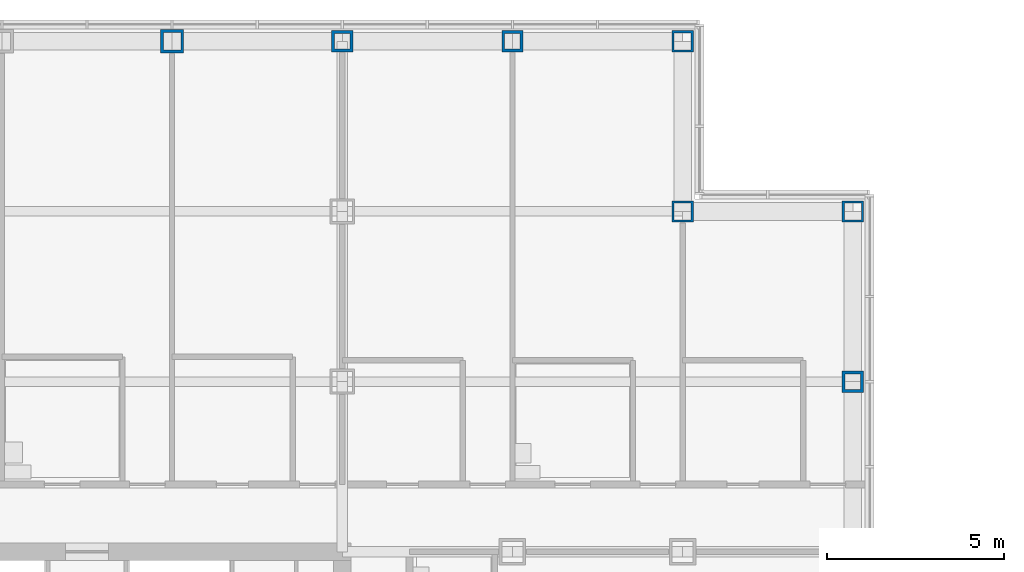
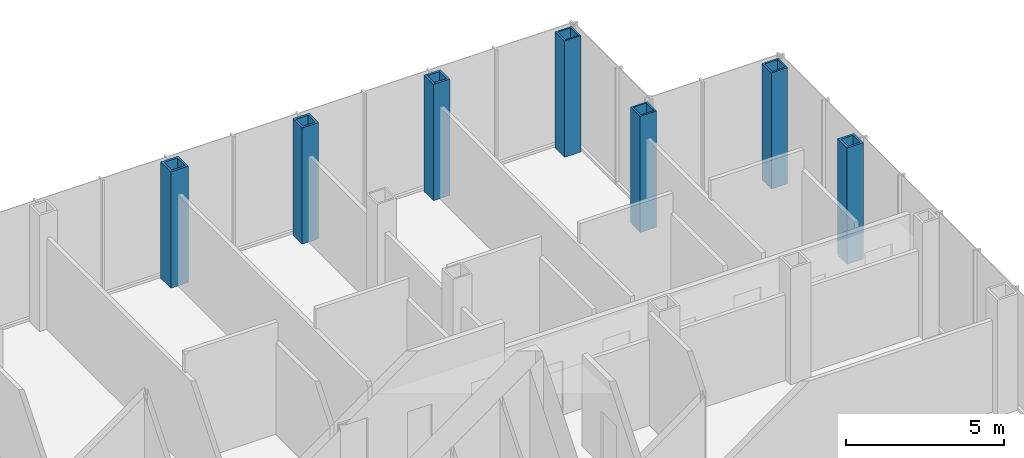
# One storey, part 10 of 26: 7 columns.
"""IFC4 building model written with IfcOpenShell, lengths in metres."""

from ifc_helpers import new_model, si_unit, direction, frame, origin, origin_2d, place, context, subcontext, project, spatial, hollow_rectangle, extrude, material, material_profile, profile_set, type_object, element, save


model = new_model("IFC4")

# Units and contexts
model_context = context("Model", 3, precision=1e-05, world=origin(), true_north=direction((0.0, 1.0)))
body_context = subcontext(model_context, "Body", "Model", "MODEL_VIEW")
ifc_project = project(units=[si_unit("LENGTHUNIT", "METRE"), si_unit("AREAUNIT", "SQUARE_METRE"), si_unit("VOLUMEUNIT", "CUBIC_METRE"), si_unit("PLANEANGLEUNIT", "RADIAN"), si_unit("MASSUNIT", "GRAM", prefix="KILO")], contexts=[model_context])

# Site, building, storey
site_placement = place(None, origin())
site = spatial("IfcSite", under=ifc_project, at=site_placement, CompositionType="ELEMENT")
building_placement = place(site_placement, origin())
building = spatial("IfcBuilding", under=site, at=building_placement, Name="Kvirike Care Tower", CompositionType="ELEMENT")
storey_placement = place(building_placement, frame((0.0, 0.0, 18.0)))
storey = spatial("IfcBuildingStorey", under=building, at=storey_placement, Name="L04", CompositionType="ELEMENT", Elevation=18.0)

# Columns
ifc_material_1 = material(Name="Steel S460", Category="steel")
ifc_material_profile_1 = material_profile(ifc_material_1, hollow_rectangle(XDim=0.60009765625, YDim=0.60009765625, WallThickness=0.06005859375, at=origin_2d()), Name="BX 600x600x60")
ifc_profile_set_1 = profile_set([ifc_material_profile_1], Name="Steel S460")
column_type_1 = type_object("IfcColumnType", Name="COLUMN BX 600x600x60", PredefinedType="COLUMN", material=ifc_profile_set_1)
for number, where, z_axis, x_axis, name in (
    (1, (38.39990234375, 52.800048828125, 0.0), (0.0, 0.0, 1.0), (0.0, 1.0, 0.0), "Column M11 L04"),
    (2, (38.39990234375, 57.60009765625, 0.0), (0.0, 0.0, 1.0), (0.0, 1.0, 0.0), "Column N11 L04"),
    (3, (43.199951171875, 52.800048828125, 0.0), (0.0, 0.0, 1.0), (0.0, 1.0, 0.0), "Column M12 L04"),
):
    element("IfcColumn", number, at=place(storey_placement, frame(where, z_axis=z_axis, x_axis=x_axis)), inside=storey, type_object=column_type_1, Name=name, PredefinedType="COLUMN", context=body_context, shape_type="SweptSolid", body=[
        extrude(hollow_rectangle(XDim=0.60009765625, YDim=0.60009765625, WallThickness=0.06005859375, at=origin_2d()), origin(), (0.0, 0.0, 1.0), 4.5),
    ])
ifc_material_2 = material(Name="Steel S460", Category="steel")
ifc_material_profile_2 = material_profile(ifc_material_2, hollow_rectangle(XDim=0.60009765625, YDim=0.60009765625, WallThickness=0.080078125, at=origin_2d()), Name="BX 600x600x80")
ifc_profile_set_2 = profile_set([ifc_material_profile_2], Name="Steel S460")
column_type_2 = type_object("IfcColumnType", Name="COLUMN BX 600x600x80", PredefinedType="COLUMN", material=ifc_profile_set_2)
for number, where, z_axis, x_axis, name in (
    (4, (28.800048828125, 57.60009765625, 0.0), (0.0, 0.0, 1.0), (0.0, 1.0, 0.0), "Column N9 L04"),
    (5, (33.60009765625, 57.60009765625, 0.0), (0.0, 0.0, 1.0), (0.0, 1.0, 0.0), "Column N10 L04"),
    (6, (43.199951171875, 48.0, 0.0), (0.0, 0.0, 1.0), (1.0, 0.0, 0.0), "Column L12 L04"),
):
    element("IfcColumn", number, at=place(storey_placement, frame(where, z_axis=z_axis, x_axis=x_axis)), inside=storey, type_object=column_type_2, Name=name, PredefinedType="COLUMN", context=body_context, shape_type="SweptSolid", body=[
        extrude(hollow_rectangle(XDim=0.60009765625, YDim=0.60009765625, WallThickness=0.080078125, at=origin_2d()), origin(), (0.0, 0.0, 1.0), 4.5),
    ])
ifc_material_3 = material(Name="Steel S460", Category="steel")
ifc_material_profile_3 = material_profile(ifc_material_3, hollow_rectangle(XDim=0.64990234375, YDim=0.64990234375, WallThickness=0.080078125, at=origin_2d()), Name="BX 650x650x80")
ifc_profile_set_3 = profile_set([ifc_material_profile_3], Name="Steel S460")
column_type_3 = type_object("IfcColumnType", Name="COLUMN BX 650x650x80", PredefinedType="COLUMN", material=ifc_profile_set_3)
column_placement = place(storey_placement, frame((24.0, 57.60009765625, 0.0), z_axis=(0.0, 0.0, 1.0), x_axis=(0.0, 1.0, 0.0)))
element("IfcColumn", 7, at=column_placement, inside=storey, type_object=column_type_3, Name="Column N8 L04", PredefinedType="COLUMN", context=body_context, shape_type="SweptSolid", body=[
    extrude(hollow_rectangle(XDim=0.64990234375, YDim=0.64990234375, WallThickness=0.080078125, at=origin_2d()), origin(), (0.0, 0.0, 1.0), 4.5),
])

save(model, "model.ifc")
